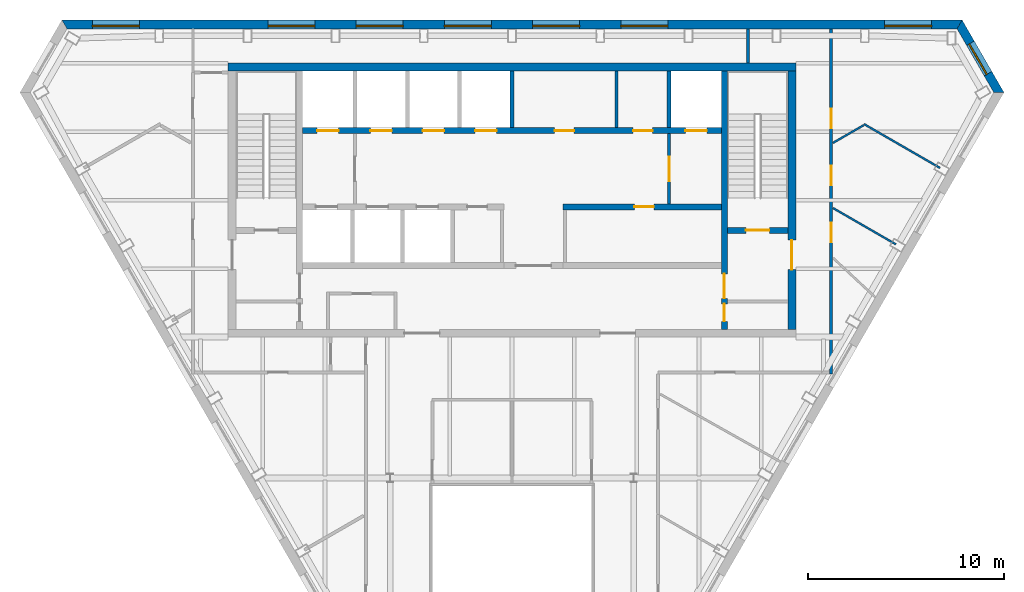
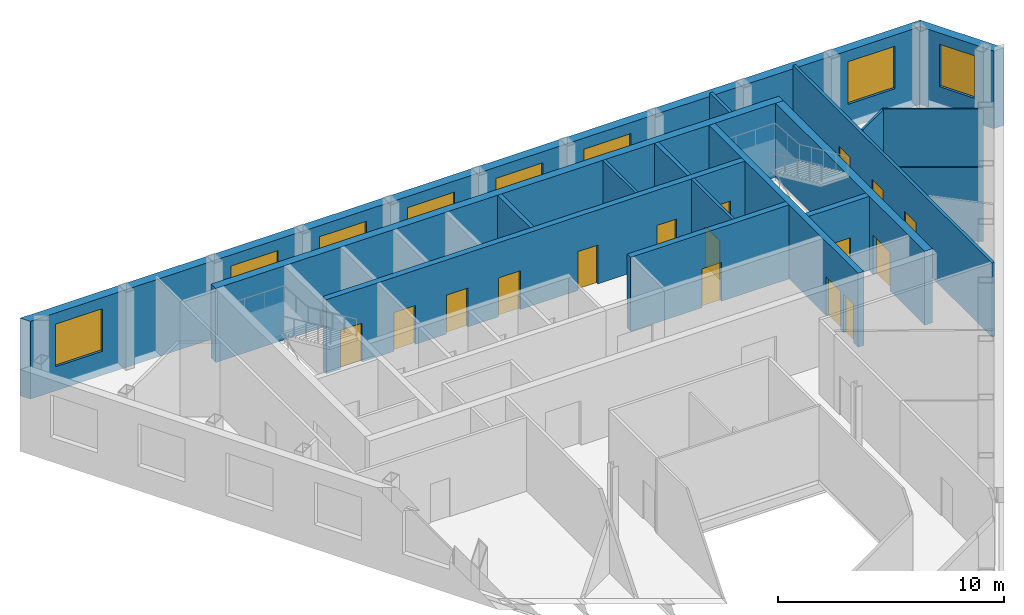
# One storey, part 6 of 9: 17 walls, 16 doors, 8 windows, 24 openings.
"""IFC4 building model written with IfcOpenShell, lengths in metres."""

from ifc_helpers import new_model, si_unit, direction, frame, frame_2d, origin, place, context, subcontext, project, spatial, polyline, rectangle, outline, extrude, material, layer, layer_set, type_object, element, fill, save


model = new_model("IFC4")

# Units and contexts
model_context = context("Model", 3, precision=1e-05, world=origin(), true_north=direction((0.0, 1.0)))
body_context = subcontext(model_context, "Body", "Model", "MODEL_VIEW")
ifc_project = project(units=[si_unit("LENGTHUNIT", "METRE"), si_unit("AREAUNIT", "SQUARE_METRE"), si_unit("VOLUMEUNIT", "CUBIC_METRE"), si_unit("PLANEANGLEUNIT", "RADIAN"), si_unit("MASSUNIT", "GRAM", prefix="KILO")], contexts=[model_context])

# Site, building, storey
site_placement = place(None, origin())
site = spatial("IfcSite", under=ifc_project, at=site_placement, CompositionType="ELEMENT")
building_placement = place(site_placement, origin())
building = spatial("IfcBuilding", under=site, at=building_placement, Name="Njiva Tower", CompositionType="ELEMENT")
storey_placement = place(building_placement, frame((0.0, 0.0, 325.2)))
storey = spatial("IfcBuildingStorey", under=building, at=storey_placement, Name="L74", CompositionType="ELEMENT", Elevation=325.2)

# Wall
ifc_material_1 = material(Name="Blockwork", Category="masonry")
ifc_layer_1 = layer(ifc_material_1, 0.15)
ifc_layer_set_1 = layer_set([ifc_layer_1], Name="Blockwork")
wall_type_1 = type_object("IfcWallType", Name="WT1 Compartment partition 150", PredefinedType="PARTITIONING", material=ifc_layer_set_1)
wall_1_placement = place(storey_placement, frame((5.35, 14.7, 0.0), z_axis=(0.0, 0.0, 1.0), x_axis=(0.0, 1.0, 0.0)))
element("IfcWall", 1, at=wall_1_placement, inside=storey, type_object=wall_type_1, Name="Partition CN6", PredefinedType="PARTITIONING", context=body_context, shape_type="SweptSolid", body=[
    extrude(rectangle(XDim=2.9, YDim=0.15, at=frame_2d((1.45, 0.0))), origin(), (0.0, 0.0, 1.0), 4.0),
])

# Wall, openings, doors
ifc_material_2 = material(Name="Concrete C40/50", Category="concrete")
ifc_layer_2 = layer(ifc_material_2, 0.3)
ifc_layer_set_2 = layer_set([ifc_layer_2], Name="Concrete C40/50")
wall_type_2 = type_object("IfcWallType", Name="WT10 Stair enclosure wall 300", PredefinedType="SHEAR", material=ifc_layer_set_2)
wall_2_placement = place(storey_placement, frame((10.85, 4.4, 0.0), z_axis=(0.0, 0.0, 1.0), x_axis=(0.0, 1.0, 0.0)))
wall_2 = element("IfcWall", 2, at=wall_2_placement, inside=storey, type_object=wall_type_2, Name="Stair wall east inner", PredefinedType="SHEAR", context=body_context, shape_type="SweptSolid", body=[
    extrude(rectangle(XDim=13.2, YDim=0.3, at=frame_2d((6.6, 0.0))), origin(), (0.0, 0.0, 1.0), 4.0),
])
opening_1_placement = place(wall_2_placement, frame((1.575, 0.0, 0.0)))
opening_1 = element("IfcOpeningElement", 3, at=opening_1_placement, cuts=wall_2, Name="Opening S25-D920", PredefinedType="OPENING", context=body_context, shape_type="SweptSolid", body=[
    extrude(rectangle(XDim=1.25, YDim=2.1, at=frame_2d((0.625, 1.05))), frame((0.0, 0.16, 0.0), z_axis=(0.0, -1.0, 0.0), x_axis=(1.0, 0.0, 0.0)), (0.0, 0.0, 1.0), 0.32),
])
opening_2_placement = place(wall_2_placement, frame((0.4, 0.0, 0.0)))
opening_2 = element("IfcOpeningElement", 4, at=opening_2_placement, cuts=wall_2, Name="Opening S25-D922", PredefinedType="OPENING", context=body_context, shape_type="SweptSolid", body=[
    extrude(rectangle(XDim=0.9, YDim=2.1, at=frame_2d((0.45, 1.05))), frame((0.0, 0.16, 0.0), z_axis=(0.0, -1.0, 0.0), x_axis=(1.0, 0.0, 0.0)), (0.0, 0.0, 1.0), 0.32),
])
ifc_material_3 = material(Name="Steel door, painted", Category="steel")
door_type_1 = type_object("IfcDoorType", Name="D13 Steel door 900x2100", OperationType="SINGLE_SWING_LEFT", PredefinedType="DOOR", material=ifc_material_3)
door_1_placement = place(opening_2_placement, origin())
door_1 = element("IfcDoor", 5, at=door_1_placement, inside=storey, type_object=door_type_1, Name="Breakout room door", OperationType="SINGLE_SWING_LEFT", OverallHeight=2.1, OverallWidth=0.9, PredefinedType="DOOR", context=body_context, shape_type="SweptSolid", body=[
    extrude(rectangle(XDim=0.9, YDim=2.1, at=frame_2d((0.45, 1.05))), frame((0.0, 0.025, 0.0), z_axis=(0.0, -1.0, 0.0), x_axis=(1.0, 0.0, 0.0)), (0.0, 0.0, 1.0), 0.05),
])
fill(opening_2, door_1)
ifc_material_4 = material(Name="Glazed steel fire door", Category="steel")
door_type_2 = type_object("IfcDoorType", Name="D8 Vestibule corridor door 1250x2100 glazed", OperationType="SINGLE_SWING_LEFT", PredefinedType="DOOR", material=ifc_material_4)
door_2_placement = place(opening_1_placement, origin())
door_2 = element("IfcDoor", 6, at=door_2_placement, inside=storey, type_object=door_type_2, Name="Stair vestibule corridor door", OperationType="SINGLE_SWING_RIGHT", OverallHeight=2.1, OverallWidth=1.25, PredefinedType="DOOR", context=body_context, shape_type="SweptSolid", body=[
    extrude(rectangle(XDim=1.25, YDim=2.1, at=frame_2d((0.625, 1.05))), frame((0.0, 0.025, 0.0), z_axis=(0.0, -1.0, 0.0), x_axis=(1.0, 0.0, 0.0)), (0.0, 0.0, 1.0), 0.05),
])
fill(opening_1, door_2)

# Wall, opening, door
wall_3_placement = place(storey_placement, frame((11.0, 9.45, 0.0), z_axis=(0.0, 0.0, 1.0), x_axis=(1.0, 0.0, 0.0)))
wall_3 = element("IfcWall", 7, at=wall_3_placement, inside=storey, type_object=wall_type_2, Name="Stair B south wall", PredefinedType="SHEAR", context=body_context, shape_type="SweptSolid", body=[
    extrude(rectangle(XDim=3.1, YDim=0.3, at=frame_2d((1.55, 0.0))), origin(), (0.0, 0.0, 1.0), 4.0),
])
opening_3_placement = place(wall_3_placement, frame((0.95, 0.0, 0.0)))
opening_3 = element("IfcOpeningElement", 8, at=opening_3_placement, cuts=wall_3, Name="Opening S25-D919", PredefinedType="OPENING", context=body_context, shape_type="SweptSolid", body=[
    extrude(rectangle(XDim=1.2, YDim=2.1, at=frame_2d((0.6, 1.05))), frame((0.0, 0.16, 0.0), z_axis=(0.0, -1.0, 0.0), x_axis=(1.0, 0.0, 0.0)), (0.0, 0.0, 1.0), 0.32),
])
door_type_3 = type_object("IfcDoorType", Name="D7 Stair vestibule door 1200x2100 glazed", OperationType="SINGLE_SWING_LEFT", PredefinedType="DOOR", material=ifc_material_4)
door_3_placement = place(opening_3_placement, origin())
door_3 = element("IfcDoor", 9, at=door_3_placement, inside=storey, type_object=door_type_3, Name="Stair B door", OperationType="SINGLE_SWING_LEFT", OverallHeight=2.1, OverallWidth=1.2, PredefinedType="DOOR", context=body_context, shape_type="SweptSolid", body=[
    extrude(rectangle(XDim=1.2, YDim=2.1, at=frame_2d((0.6, 1.05))), frame((0.0, 0.025, 0.0), z_axis=(0.0, -1.0, 0.0), x_axis=(1.0, 0.0, 0.0)), (0.0, 0.0, 1.0), 0.05),
])
fill(opening_3, door_3)

# Wall
ifc_material_5 = material(Name="Concrete C60/75", Category="concrete")
ifc_layer_3 = layer(ifc_material_5, 0.4)
ifc_layer_set_3 = layer_set([ifc_layer_3], Name="Concrete C60/75")
wall_type_3 = type_object("IfcWallType", Name="WT11 Core wall 400", PredefinedType="SHEAR", material=ifc_layer_set_3)
wall_4_placement = place(storey_placement, frame((-14.5, 17.8, 0.0), z_axis=(0.0, 0.0, 1.0), x_axis=(1.0, 0.0, 0.0)))
element("IfcWall", 10, at=wall_4_placement, inside=storey, type_object=wall_type_3, Name="Core wall north", PredefinedType="SHEAR", context=body_context, shape_type="SweptSolid", body=[
    extrude(rectangle(XDim=29.0, YDim=0.4, at=frame_2d((14.5, 0.0))), origin(), (0.0, 0.0, 1.0), 4.0),
])

# Wall, opening, door
wall_5_placement = place(storey_placement, frame((14.3, 4.4, 0.0), z_axis=(0.0, 0.0, 1.0), x_axis=(0.0, 1.0, 0.0)))
wall_5 = element("IfcWall", 11, at=wall_5_placement, inside=storey, type_object=wall_type_3, Name="Core wall east", PredefinedType="SHEAR", context=body_context, shape_type="SweptSolid", body=[
    extrude(rectangle(XDim=13.2, YDim=0.4, at=frame_2d((6.6, 0.0))), origin(), (0.0, 0.0, 1.0), 4.0),
])
opening_4_placement = place(wall_5_placement, frame((3.05, 0.0, 0.0)))
opening_4 = element("IfcOpeningElement", 12, at=opening_4_placement, cuts=wall_5, Name="Opening S25-D921", PredefinedType="OPENING", context=body_context, shape_type="SweptSolid", body=[
    extrude(rectangle(XDim=1.5, YDim=2.1, at=frame_2d((0.75, 1.05))), frame((0.0, 0.21, 0.0), z_axis=(0.0, -1.0, 0.0), x_axis=(1.0, 0.0, 0.0)), (0.0, 0.0, 1.0), 0.42),
])
door_type_4 = type_object("IfcDoorType", Name="D10 Exit door double 1500x2100 glazed", OperationType="DOUBLE_DOOR_SINGLE_SWING", PredefinedType="DOOR", material=ifc_material_4)
door_4_placement = place(opening_4_placement, origin())
door_4 = element("IfcDoor", 13, at=door_4_placement, inside=storey, type_object=door_type_4, Name="Stair B corridor door", OperationType="DOUBLE_DOOR_SINGLE_SWING", OverallHeight=2.1, OverallWidth=1.5, PredefinedType="DOOR", context=body_context, shape_type="SweptSolid", body=[
    extrude(rectangle(XDim=1.5, YDim=2.1, at=frame_2d((0.75, 1.05))), frame((0.0, 0.025, 0.0), z_axis=(0.0, -1.0, 0.0), x_axis=(1.0, 0.0, 0.0)), (0.0, 0.0, 1.0), 0.05),
])
fill(opening_4, door_4)

ifc_layer_4 = layer(ifc_material_1, 0.15)
ifc_layer_set_4 = layer_set([ifc_layer_4], Name="Blockwork")
wall_type_4 = type_object("IfcWallType", Name="WT2 Lobby partition 150", PredefinedType="PARTITIONING", material=ifc_layer_set_4)
wall_6_placement = place(storey_placement, frame((8.025, 10.8, 0.0), z_axis=(0.0, 0.0, 1.0), x_axis=(0.0, 1.0, 0.0)))
wall_6 = element("IfcWall", 14, at=wall_6_placement, inside=storey, type_object=wall_type_4, Name="Firefighting lobby wall B", PredefinedType="PARTITIONING", context=body_context, shape_type="SweptSolid", body=[
    extrude(rectangle(XDim=3.6, YDim=0.15, at=frame_2d((1.8, 0.0))), origin(), (0.0, 0.0, 1.0), 4.0),
])
opening_5_placement = place(wall_6_placement, frame((1.175, 0.0, 0.0)))
opening_5 = element("IfcOpeningElement", 15, at=opening_5_placement, cuts=wall_6, Name="Opening S25-D918", PredefinedType="OPENING", context=body_context, shape_type="SweptSolid", body=[
    extrude(rectangle(XDim=1.25, YDim=2.1, at=frame_2d((0.625, 1.05))), frame((0.0, 0.085, 0.0), z_axis=(0.0, -1.0, 0.0), x_axis=(1.0, 0.0, 0.0)), (0.0, 0.0, 1.0), 0.17),
])
door_5_placement = place(opening_5_placement, origin())
door_5 = element("IfcDoor", 16, at=door_5_placement, inside=storey, type_object=door_type_2, Name="Stair vestibule corridor door", OperationType="SINGLE_SWING_LEFT", OverallHeight=2.1, OverallWidth=1.25, PredefinedType="DOOR", context=body_context, shape_type="SweptSolid", body=[
    extrude(rectangle(XDim=1.25, YDim=2.1, at=frame_2d((0.625, 1.05))), frame((0.0, 0.025, 0.0), z_axis=(0.0, -1.0, 0.0), x_axis=(1.0, 0.0, 0.0)), (0.0, 0.0, 1.0), 0.05),
])
fill(opening_5, door_5)

# Walls
ifc_material_6 = material(Name="Gypsum board on steel studs", Category="gypsum")
ifc_layer_5 = layer(ifc_material_6, 0.1)
ifc_layer_set_5 = layer_set([ifc_layer_5], Name="Gypsum board on steel studs")
wall_type_5 = type_object("IfcWallType", Name="WT20 Gypsum partition 100", PredefinedType="PARTITIONING", material=ifc_layer_set_5)
wall_7_placement = place(storey_placement, frame((16.4, 13.923, 0.0), z_axis=(0.0, 0.0, 1.0), x_axis=(0.866571760088, 0.499052486836, 0.0)))
element("IfcWall", 17, at=wall_7_placement, inside=storey, type_object=wall_type_5, Name="Partition S25-P025", PredefinedType="PARTITIONING", context=body_context, shape_type="SweptSolid", body=[
    extrude(rectangle(XDim=1.8094, YDim=0.1, at=frame_2d((0.9047, 0.0))), origin(), (0.0, 0.0, 1.0), 4.0),
])
wall_8_placement = place(storey_placement, frame((16.4, 10.595, 0.0), z_axis=(0.0, 0.0, 1.0), x_axis=(0.866131810338, -0.499815653138, 0.0)))
element("IfcWall", 18, at=wall_8_placement, inside=storey, type_object=wall_type_5, Name="Partition S25-P026", PredefinedType="PARTITIONING", context=body_context, shape_type="SweptSolid", body=[
    extrude(rectangle(XDim=3.7154, YDim=0.1, at=frame_2d((1.8577, 0.0))), origin(), (0.0, 0.0, 1.0), 4.0),
])
wall_9_placement = place(storey_placement, frame((17.984, 14.885, 0.0), z_axis=(0.0, 0.0, 1.0), x_axis=(0.86619300392, -0.499709595626, 0.0)))
element("IfcWall", 19, at=wall_9_placement, inside=storey, type_object=wall_type_5, Name="Partition S25-P028", PredefinedType="PARTITIONING", context=body_context, shape_type="SweptSolid", body=[
    extrude(rectangle(XDim=4.4886, YDim=0.1, at=frame_2d((2.2443, 0.0))), origin(), (0.0, 0.0, 1.0), 4.0),
])
ifc_layer_6 = layer(ifc_material_6, 0.15)
ifc_layer_set_6 = layer_set([ifc_layer_6], Name="Gypsum board on steel studs")
wall_type_6 = type_object("IfcWallType", Name="WT21 Compartment wall 150", PredefinedType="PARTITIONING", material=ifc_layer_set_6)
wall_10_placement = place(storey_placement, frame((12.05, 18.0, 0.0), z_axis=(0.0, 0.0, 1.0), x_axis=(0.0, 1.0, 0.0)))
element("IfcWall", 20, at=wall_10_placement, inside=storey, type_object=wall_type_6, Name="Partition S25-P023", PredefinedType="PARTITIONING", context=body_context, shape_type="SweptSolid", body=[
    extrude(rectangle(XDim=1.75, YDim=0.15, at=frame_2d((0.875, 0.0))), origin(), (0.0, 0.0, 1.0), 4.0),
])

# Wall, openings, doors
wall_11_placement = place(storey_placement, frame((16.3, 2.125, 0.0), z_axis=(0.0, 0.0, 1.0), x_axis=(0.0, 1.0, 0.0)))
wall_11 = element("IfcWall", 21, at=wall_11_placement, inside=storey, type_object=wall_type_6, Name="Partition S25-P024", PredefinedType="PARTITIONING", context=body_context, shape_type="SweptSolid", body=[
    extrude(rectangle(XDim=17.623, YDim=0.15, at=frame_2d((8.8115, 0.0))), origin(), (0.0, 0.0, 1.0), 4.0),
])
opening_6_placement = place(wall_11_placement, frame((6.72, 0.0, 0.0)))
opening_6 = element("IfcOpeningElement", 22, at=opening_6_placement, cuts=wall_11, Name="Opening S25-D014", PredefinedType="OPENING", context=body_context, shape_type="SweptSolid", body=[
    extrude(rectangle(XDim=1.0, YDim=2.1, at=frame_2d((0.5, 1.05))), frame((0.0, 0.085, 0.0), z_axis=(0.0, -1.0, 0.0), x_axis=(1.0, 0.0, 0.0)), (0.0, 0.0, 1.0), 0.17),
])
opening_7_placement = place(wall_11_placement, frame((9.633, 0.0, 0.0)))
opening_7 = element("IfcOpeningElement", 23, at=opening_7_placement, cuts=wall_11, Name="Opening S25-D015", PredefinedType="OPENING", context=body_context, shape_type="SweptSolid", body=[
    extrude(rectangle(XDim=1.0, YDim=2.1, at=frame_2d((0.5, 1.05))), frame((0.0, 0.085, 0.0), z_axis=(0.0, -1.0, 0.0), x_axis=(1.0, 0.0, 0.0)), (0.0, 0.0, 1.0), 0.17),
])
opening_8_placement = place(wall_11_placement, frame((12.544, 0.0, 0.0)))
opening_8 = element("IfcOpeningElement", 24, at=opening_8_placement, cuts=wall_11, Name="Opening S25-D016", PredefinedType="OPENING", context=body_context, shape_type="SweptSolid", body=[
    extrude(rectangle(XDim=1.0, YDim=2.1, at=frame_2d((0.5, 1.05))), frame((0.0, 0.085, 0.0), z_axis=(0.0, -1.0, 0.0), x_axis=(1.0, 0.0, 0.0)), (0.0, 0.0, 1.0), 0.17),
])
ifc_material_7 = material(Name="Steel fire door set", Category="steel")
door_type_5 = type_object("IfcDoorType", Name="D37 Fire door 1000x2100", OperationType="SINGLE_SWING_LEFT", PredefinedType="DOOR", material=ifc_material_7)
door_6_placement = place(opening_6_placement, origin())
door_6 = element("IfcDoor", 25, at=door_6_placement, inside=storey, type_object=door_type_5, Name="Door S25-D014", OperationType="SINGLE_SWING_LEFT", OverallHeight=2.1, OverallWidth=1.0, PredefinedType="DOOR", context=body_context, shape_type="SweptSolid", body=[
    extrude(rectangle(XDim=1.0, YDim=2.1, at=frame_2d((0.5, 1.05))), frame((0.0, 0.025, 0.0), z_axis=(0.0, -1.0, 0.0), x_axis=(1.0, 0.0, 0.0)), (0.0, 0.0, 1.0), 0.05),
])
fill(opening_6, door_6)
door_7_placement = place(opening_7_placement, origin())
door_7 = element("IfcDoor", 26, at=door_7_placement, inside=storey, type_object=door_type_5, Name="Door S25-D015", OperationType="SINGLE_SWING_RIGHT", OverallHeight=2.1, OverallWidth=1.0, PredefinedType="DOOR", context=body_context, shape_type="SweptSolid", body=[
    extrude(rectangle(XDim=1.0, YDim=2.1, at=frame_2d((0.5, 1.05))), frame((0.0, 0.025, 0.0), z_axis=(0.0, -1.0, 0.0), x_axis=(1.0, 0.0, 0.0)), (0.0, 0.0, 1.0), 0.05),
])
fill(opening_7, door_7)
door_8_placement = place(opening_8_placement, origin())
door_8 = element("IfcDoor", 27, at=door_8_placement, inside=storey, type_object=door_type_5, Name="Door S25-D016", OperationType="SINGLE_SWING_RIGHT", OverallHeight=2.1, OverallWidth=1.0, PredefinedType="DOOR", context=body_context, shape_type="SweptSolid", body=[
    extrude(rectangle(XDim=1.0, YDim=2.1, at=frame_2d((0.5, 1.05))), frame((0.0, 0.025, 0.0), z_axis=(0.0, -1.0, 0.0), x_axis=(1.0, 0.0, 0.0)), (0.0, 0.0, 1.0), 0.05),
])
fill(opening_8, door_8)

# Walls
ifc_layer_7 = layer(ifc_material_2, 0.2)
ifc_layer_set_7 = layer_set([ifc_layer_7], Name="Concrete C40/50")
wall_type_7 = type_object("IfcWallType", Name="WT6 Lift shaft wall 200", PredefinedType="SHEAR", material=ifc_layer_set_7)
for number, where, z_axis, x_axis, name in (
    (28, (0.0, 14.7, 0.0), (0.0, 0.0, 1.0), (0.0, 1.0, 0.0), "Shaft wall CN4"),
    (29, (8.025, 14.7, 0.0), (0.0, 0.0, 1.0), (0.0, 1.0, 0.0), "Shaft wall CN7"),
):
    element("IfcWall", number, at=place(storey_placement, frame(where, z_axis=z_axis, x_axis=x_axis)), inside=storey, type_object=wall_type_7, Name=name, PredefinedType="SHEAR", context=body_context, shape_type="SweptSolid", body=[
        extrude(rectangle(XDim=2.9, YDim=0.2, at=frame_2d((1.45, 0.0))), origin(), (0.0, 0.0, 1.0), 4.0),
    ])

# Wall, openings, doors
ifc_layer_8 = layer(ifc_material_2, 0.3)
ifc_layer_set_8 = layer_set([ifc_layer_8], Name="Concrete C40/50")
wall_type_8 = type_object("IfcWallType", Name="WT7 Lift shaft wall 300", PredefinedType="SHEAR", material=ifc_layer_set_8)
wall_12_placement = place(storey_placement, frame((-10.7, 14.55, 0.0), z_axis=(0.0, 0.0, 1.0), x_axis=(1.0, 0.0, 0.0)))
wall_12 = element("IfcWall", 30, at=wall_12_placement, inside=storey, type_object=wall_type_8, Name="Shaft wall north row lobby side", PredefinedType="SHEAR", context=body_context, shape_type="SweptSolid", body=[
    extrude(rectangle(XDim=21.4, YDim=0.3, at=frame_2d((10.7, 0.0))), origin(), (0.0, 0.0, 1.0), 4.0),
])
opening_9_placement = place(wall_12_placement, frame((0.7375, 0.0, 0.0)))
opening_9 = element("IfcOpeningElement", 31, at=opening_9_placement, cuts=wall_12, Name="Opening S25-D901", PredefinedType="OPENING", context=body_context, shape_type="SweptSolid", body=[
    extrude(rectangle(XDim=1.1, YDim=2.1, at=frame_2d((0.55, 1.05))), frame((0.0, 0.16, 0.0), z_axis=(0.0, -1.0, 0.0), x_axis=(1.0, 0.0, 0.0)), (0.0, 0.0, 1.0), 0.32),
])
opening_10_placement = place(wall_12_placement, frame((3.4625, 0.0, 0.0)))
opening_10 = element("IfcOpeningElement", 32, at=opening_10_placement, cuts=wall_12, Name="Opening S25-D902", PredefinedType="OPENING", context=body_context, shape_type="SweptSolid", body=[
    extrude(rectangle(XDim=1.1, YDim=2.1, at=frame_2d((0.55, 1.05))), frame((0.0, 0.16, 0.0), z_axis=(0.0, -1.0, 0.0), x_axis=(1.0, 0.0, 0.0)), (0.0, 0.0, 1.0), 0.32),
])
opening_11_placement = place(wall_12_placement, frame((6.1375, 0.0, 0.0)))
opening_11 = element("IfcOpeningElement", 33, at=opening_11_placement, cuts=wall_12, Name="Opening S25-D903", PredefinedType="OPENING", context=body_context, shape_type="SweptSolid", body=[
    extrude(rectangle(XDim=1.1, YDim=2.1, at=frame_2d((0.55, 1.05))), frame((0.0, 0.16, 0.0), z_axis=(0.0, -1.0, 0.0), x_axis=(1.0, 0.0, 0.0)), (0.0, 0.0, 1.0), 0.32),
])
opening_12_placement = place(wall_12_placement, frame((8.8125, 0.0, 0.0)))
opening_12 = element("IfcOpeningElement", 34, at=opening_12_placement, cuts=wall_12, Name="Opening S25-D904", PredefinedType="OPENING", context=body_context, shape_type="SweptSolid", body=[
    extrude(rectangle(XDim=1.1, YDim=2.1, at=frame_2d((0.55, 1.05))), frame((0.0, 0.16, 0.0), z_axis=(0.0, -1.0, 0.0), x_axis=(1.0, 0.0, 0.0)), (0.0, 0.0, 1.0), 0.32),
])
opening_13_placement = place(wall_12_placement, frame((19.5625, 0.0, 0.0)))
opening_13 = element("IfcOpeningElement", 35, at=opening_13_placement, cuts=wall_12, Name="Opening S25-D905", PredefinedType="OPENING", context=body_context, shape_type="SweptSolid", body=[
    extrude(rectangle(XDim=1.1, YDim=2.1, at=frame_2d((0.55, 1.05))), frame((0.0, 0.16, 0.0), z_axis=(0.0, -1.0, 0.0), x_axis=(1.0, 0.0, 0.0)), (0.0, 0.0, 1.0), 0.32),
])
opening_14_placement = place(wall_12_placement, frame((12.875, 0.0, 0.0)))
opening_14 = element("IfcOpeningElement", 36, at=opening_14_placement, cuts=wall_12, Name="Opening S25-D909", PredefinedType="OPENING", context=body_context, shape_type="SweptSolid", body=[
    extrude(rectangle(XDim=1.0, YDim=2.1, at=frame_2d((0.5, 1.05))), frame((0.0, 0.16, 0.0), z_axis=(0.0, -1.0, 0.0), x_axis=(1.0, 0.0, 0.0)), (0.0, 0.0, 1.0), 0.32),
])
opening_15_placement = place(wall_12_placement, frame((16.8875, 0.0, 0.0)))
opening_15 = element("IfcOpeningElement", 37, at=opening_15_placement, cuts=wall_12, Name="Opening S25-D910", PredefinedType="OPENING", context=body_context, shape_type="SweptSolid", body=[
    extrude(rectangle(XDim=1.0, YDim=2.1, at=frame_2d((0.5, 1.05))), frame((0.0, 0.16, 0.0), z_axis=(0.0, -1.0, 0.0), x_axis=(1.0, 0.0, 0.0)), (0.0, 0.0, 1.0), 0.32),
])
door_type_6 = type_object("IfcDoorType", Name="D5 Steel door 1000x2100", OperationType="SINGLE_SWING_LEFT", PredefinedType="DOOR", material=ifc_material_3)
door_9_placement = place(opening_14_placement, origin())
door_9 = element("IfcDoor", 38, at=door_9_placement, inside=storey, type_object=door_type_6, Name="Breakout room door", OperationType="SINGLE_SWING_LEFT", OverallHeight=2.1, OverallWidth=1.0, PredefinedType="DOOR", context=body_context, shape_type="SweptSolid", body=[
    extrude(rectangle(XDim=1.0, YDim=2.1, at=frame_2d((0.5, 1.05))), frame((0.0, 0.025, 0.0), z_axis=(0.0, -1.0, 0.0), x_axis=(1.0, 0.0, 0.0)), (0.0, 0.0, 1.0), 0.05),
])
fill(opening_14, door_9)
door_10_placement = place(opening_15_placement, origin())
door_10 = element("IfcDoor", 39, at=door_10_placement, inside=storey, type_object=door_type_6, Name="Quiet room door", OperationType="SINGLE_SWING_LEFT", OverallHeight=2.1, OverallWidth=1.0, PredefinedType="DOOR", context=body_context, shape_type="SweptSolid", body=[
    extrude(rectangle(XDim=1.0, YDim=2.1, at=frame_2d((0.5, 1.05))), frame((0.0, 0.025, 0.0), z_axis=(0.0, -1.0, 0.0), x_axis=(1.0, 0.0, 0.0)), (0.0, 0.0, 1.0), 0.05),
])
fill(opening_15, door_10)
ifc_material_8 = material(Name="Stainless steel sliding door", Category="steel")
door_type_7 = type_object("IfcDoorType", Name="LD Lift landing door 1100x2100", OperationType="SLIDING_TO_LEFT", PredefinedType="DOOR", material=ifc_material_8)
door_11_placement = place(opening_9_placement, origin())
door_11 = element("IfcDoor", 40, at=door_11_placement, inside=storey, type_object=door_type_7, Name="Lift landing door FF1", OperationType="SLIDING_TO_LEFT", OverallHeight=2.1, OverallWidth=1.1, PredefinedType="DOOR", context=body_context, shape_type="SweptSolid", body=[
    extrude(rectangle(XDim=1.1, YDim=2.1, at=frame_2d((0.55, 1.05))), frame((0.0, 0.025, 0.0), z_axis=(0.0, -1.0, 0.0), x_axis=(1.0, 0.0, 0.0)), (0.0, 0.0, 1.0), 0.05),
])
fill(opening_9, door_11)
door_12_placement = place(opening_10_placement, origin())
door_12 = element("IfcDoor", 41, at=door_12_placement, inside=storey, type_object=door_type_7, Name="Lift landing door HB4", OperationType="SLIDING_TO_LEFT", OverallHeight=2.1, OverallWidth=1.1, PredefinedType="DOOR", context=body_context, shape_type="SweptSolid", body=[
    extrude(rectangle(XDim=1.1, YDim=2.1, at=frame_2d((0.55, 1.05))), frame((0.0, 0.025, 0.0), z_axis=(0.0, -1.0, 0.0), x_axis=(1.0, 0.0, 0.0)), (0.0, 0.0, 1.0), 0.05),
])
fill(opening_10, door_12)
door_13_placement = place(opening_11_placement, origin())
door_13 = element("IfcDoor", 42, at=door_13_placement, inside=storey, type_object=door_type_7, Name="Lift landing door HB5", OperationType="SLIDING_TO_LEFT", OverallHeight=2.1, OverallWidth=1.1, PredefinedType="DOOR", context=body_context, shape_type="SweptSolid", body=[
    extrude(rectangle(XDim=1.1, YDim=2.1, at=frame_2d((0.55, 1.05))), frame((0.0, 0.025, 0.0), z_axis=(0.0, -1.0, 0.0), x_axis=(1.0, 0.0, 0.0)), (0.0, 0.0, 1.0), 0.05),
])
fill(opening_11, door_13)
door_14_placement = place(opening_12_placement, origin())
door_14 = element("IfcDoor", 43, at=door_14_placement, inside=storey, type_object=door_type_7, Name="Lift landing door HB6", OperationType="SLIDING_TO_LEFT", OverallHeight=2.1, OverallWidth=1.1, PredefinedType="DOOR", context=body_context, shape_type="SweptSolid", body=[
    extrude(rectangle(XDim=1.1, YDim=2.1, at=frame_2d((0.55, 1.05))), frame((0.0, 0.025, 0.0), z_axis=(0.0, -1.0, 0.0), x_axis=(1.0, 0.0, 0.0)), (0.0, 0.0, 1.0), 0.05),
])
fill(opening_12, door_14)
door_15_placement = place(opening_13_placement, origin())
door_15 = element("IfcDoor", 44, at=door_15_placement, inside=storey, type_object=door_type_7, Name="Lift landing door FF2", OperationType="SLIDING_TO_LEFT", OverallHeight=2.1, OverallWidth=1.1, PredefinedType="DOOR", context=body_context, shape_type="SweptSolid", body=[
    extrude(rectangle(XDim=1.1, YDim=2.1, at=frame_2d((0.55, 1.05))), frame((0.0, 0.025, 0.0), z_axis=(0.0, -1.0, 0.0), x_axis=(1.0, 0.0, 0.0)), (0.0, 0.0, 1.0), 0.05),
])
fill(opening_13, door_15)

# Wall, opening, door
wall_13_placement = place(storey_placement, frame((2.6, 10.65, 0.0), z_axis=(0.0, 0.0, 1.0), x_axis=(1.0, 0.0, 0.0)))
wall_13 = element("IfcWall", 45, at=wall_13_placement, inside=storey, type_object=wall_type_8, Name="Shaft wall south row lobby side E", PredefinedType="SHEAR", context=body_context, shape_type="SweptSolid", body=[
    extrude(rectangle(XDim=8.1, YDim=0.3, at=frame_2d((4.05, 0.0))), origin(), (0.0, 0.0, 1.0), 4.0),
])
opening_16_placement = place(wall_13_placement, frame((3.65, 0.0, 0.0)))
opening_16 = element("IfcOpeningElement", 46, at=opening_16_placement, cuts=wall_13, Name="Opening S25-D912", PredefinedType="OPENING", context=body_context, shape_type="SweptSolid", body=[
    extrude(rectangle(XDim=1.0, YDim=2.1, at=frame_2d((0.5, 1.05))), frame((0.0, 0.16, 0.0), z_axis=(0.0, -1.0, 0.0), x_axis=(1.0, 0.0, 0.0)), (0.0, 0.0, 1.0), 0.32),
])
door_16_placement = place(opening_16_placement, origin())
door_16 = element("IfcDoor", 47, at=door_16_placement, inside=storey, type_object=door_type_6, Name="Mechanical room door", OperationType="SINGLE_SWING_RIGHT", OverallHeight=2.1, OverallWidth=1.0, PredefinedType="DOOR", context=body_context, shape_type="SweptSolid", body=[
    extrude(rectangle(XDim=1.0, YDim=2.1, at=frame_2d((0.5, 1.05))), frame((0.0, 0.025, 0.0), z_axis=(0.0, -1.0, 0.0), x_axis=(1.0, 0.0, 0.0)), (0.0, 0.0, 1.0), 0.05),
])
fill(opening_16, door_16)

# Wall, openings, windows
ifc_material_9 = material(Name="Brick masonry", Category="masonry")
ifc_layer_9 = layer(ifc_material_9, 0.45)
ifc_layer_set_9 = layer_set([ifc_layer_9], Name="Brick masonry")
wall_type_9 = type_object("IfcWallType", Name="WT90 Brick pier and spandrel wall 450", PredefinedType="SOLIDWALL", material=ifc_layer_set_9)
wall_14_placement = place(storey_placement, frame((22.8651, 19.975, -0.4), z_axis=(0.0, 0.0, 1.0), x_axis=(-1.0, 0.0, 0.0)))
wall_14 = element("IfcWall", 48, at=wall_14_placement, inside=storey, type_object=wall_type_9, Name="Facade wall N", PredefinedType="SOLIDWALL", context=body_context, shape_type="SweptSolid", body=[
    extrude(outline(polyline([(-0.1299, -0.225), (45.8601, -0.225), (45.6003, 0.225), (0.1299, 0.225), (-0.1299, -0.225)])), origin(), (0.0, 0.0, 1.0), 4.2),
])
opening_17_placement = place(wall_14_placement, frame((1.4237, 0.0, 1.3)))
opening_17 = element("IfcOpeningElement", 49, at=opening_17_placement, cuts=wall_14, Name="Opening S25-W01", PredefinedType="OPENING", context=body_context, shape_type="SweptSolid", body=[
    extrude(rectangle(XDim=2.4, YDim=2.3, at=frame_2d((1.2, 1.15))), frame((0.0, 0.235, 0.0), z_axis=(0.0, -1.0, 0.0), x_axis=(1.0, 0.0, 0.0)), (0.0, 0.0, 1.0), 0.47),
])
opening_18_placement = place(wall_14_placement, frame((14.9052, 0.0, 1.3)))
opening_18 = element("IfcOpeningElement", 50, at=opening_18_placement, cuts=wall_14, Name="Opening S25-W02", PredefinedType="OPENING", context=body_context, shape_type="SweptSolid", body=[
    extrude(rectangle(XDim=2.4, YDim=2.3, at=frame_2d((1.2, 1.15))), frame((0.0, 0.235, 0.0), z_axis=(0.0, -1.0, 0.0), x_axis=(1.0, 0.0, 0.0)), (0.0, 0.0, 1.0), 0.47),
])
opening_19_placement = place(wall_14_placement, frame((19.4118, 0.0, 1.3)))
opening_19 = element("IfcOpeningElement", 51, at=opening_19_placement, cuts=wall_14, Name="Opening S25-W03", PredefinedType="OPENING", context=body_context, shape_type="SweptSolid", body=[
    extrude(rectangle(XDim=2.4, YDim=2.3, at=frame_2d((1.2, 1.15))), frame((0.0, 0.235, 0.0), z_axis=(0.0, -1.0, 0.0), x_axis=(1.0, 0.0, 0.0)), (0.0, 0.0, 1.0), 0.47),
])
opening_20_placement = place(wall_14_placement, frame((23.9184, 0.0, 1.3)))
opening_20 = element("IfcOpeningElement", 52, at=opening_20_placement, cuts=wall_14, Name="Opening S25-W04", PredefinedType="OPENING", context=body_context, shape_type="SweptSolid", body=[
    extrude(rectangle(XDim=2.4, YDim=2.3, at=frame_2d((1.2, 1.15))), frame((0.0, 0.235, 0.0), z_axis=(0.0, -1.0, 0.0), x_axis=(1.0, 0.0, 0.0)), (0.0, 0.0, 1.0), 0.47),
])
opening_21_placement = place(wall_14_placement, frame((28.425, 0.0, 1.3)))
opening_21 = element("IfcOpeningElement", 53, at=opening_21_placement, cuts=wall_14, Name="Opening S25-W05", PredefinedType="OPENING", context=body_context, shape_type="SweptSolid", body=[
    extrude(rectangle(XDim=2.4, YDim=2.3, at=frame_2d((1.2, 1.15))), frame((0.0, 0.235, 0.0), z_axis=(0.0, -1.0, 0.0), x_axis=(1.0, 0.0, 0.0)), (0.0, 0.0, 1.0), 0.47),
])
opening_22_placement = place(wall_14_placement, frame((32.9316, 0.0, 1.3)))
opening_22 = element("IfcOpeningElement", 54, at=opening_22_placement, cuts=wall_14, Name="Opening S25-W06", PredefinedType="OPENING", context=body_context, shape_type="SweptSolid", body=[
    extrude(rectangle(XDim=2.4, YDim=2.3, at=frame_2d((1.2, 1.15))), frame((0.0, 0.235, 0.0), z_axis=(0.0, -1.0, 0.0), x_axis=(1.0, 0.0, 0.0)), (0.0, 0.0, 1.0), 0.47),
])
opening_23_placement = place(wall_14_placement, frame((41.9065, 0.0, 1.3)))
opening_23 = element("IfcOpeningElement", 55, at=opening_23_placement, cuts=wall_14, Name="Opening S25-W07", PredefinedType="OPENING", context=body_context, shape_type="SweptSolid", body=[
    extrude(rectangle(XDim=2.4, YDim=2.3, at=frame_2d((1.2, 1.15))), frame((0.0, 0.235, 0.0), z_axis=(0.0, -1.0, 0.0), x_axis=(1.0, 0.0, 0.0)), (0.0, 0.0, 1.0), 0.47),
])
ifc_material_10 = material(Name="Clear glazing in aluminium frame", Category="aluminium")
window_type_1 = type_object("IfcWindowType", Name="W91 Deep-set window 2400x2300", PartitioningType="SINGLE_PANEL", PredefinedType="WINDOW", material=ifc_material_10)
window_1_placement = place(opening_17_placement, origin())
window_1 = element("IfcWindow", 56, at=window_1_placement, inside=storey, type_object=window_type_1, Name="Window", OverallHeight=2.3, OverallWidth=2.4, PartitioningType="SINGLE_PANEL", PredefinedType="WINDOW", context=body_context, shape_type="SweptSolid", body=[
    extrude(rectangle(XDim=2.4, YDim=2.3, at=frame_2d((1.2, 1.15))), frame((0.0, 0.105, 0.0), z_axis=(0.0, -1.0, 0.0), x_axis=(1.0, 0.0, 0.0)), (0.0, 0.0, 1.0), 0.06),
])
fill(opening_17, window_1)
window_2_placement = place(opening_18_placement, origin())
window_2 = element("IfcWindow", 57, at=window_2_placement, inside=storey, type_object=window_type_1, Name="Window", OverallHeight=2.3, OverallWidth=2.4, PartitioningType="SINGLE_PANEL", PredefinedType="WINDOW", context=body_context, shape_type="SweptSolid", body=[
    extrude(rectangle(XDim=2.4, YDim=2.3, at=frame_2d((1.2, 1.15))), frame((0.0, 0.105, 0.0), z_axis=(0.0, -1.0, 0.0), x_axis=(1.0, 0.0, 0.0)), (0.0, 0.0, 1.0), 0.06),
])
fill(opening_18, window_2)
window_3_placement = place(opening_19_placement, origin())
window_3 = element("IfcWindow", 58, at=window_3_placement, inside=storey, type_object=window_type_1, Name="Window", OverallHeight=2.3, OverallWidth=2.4, PartitioningType="SINGLE_PANEL", PredefinedType="WINDOW", context=body_context, shape_type="SweptSolid", body=[
    extrude(rectangle(XDim=2.4, YDim=2.3, at=frame_2d((1.2, 1.15))), frame((0.0, 0.105, 0.0), z_axis=(0.0, -1.0, 0.0), x_axis=(1.0, 0.0, 0.0)), (0.0, 0.0, 1.0), 0.06),
])
fill(opening_19, window_3)
window_4_placement = place(opening_20_placement, origin())
window_4 = element("IfcWindow", 59, at=window_4_placement, inside=storey, type_object=window_type_1, Name="Window", OverallHeight=2.3, OverallWidth=2.4, PartitioningType="SINGLE_PANEL", PredefinedType="WINDOW", context=body_context, shape_type="SweptSolid", body=[
    extrude(rectangle(XDim=2.4, YDim=2.3, at=frame_2d((1.2, 1.15))), frame((0.0, 0.105, 0.0), z_axis=(0.0, -1.0, 0.0), x_axis=(1.0, 0.0, 0.0)), (0.0, 0.0, 1.0), 0.06),
])
fill(opening_20, window_4)
window_5_placement = place(opening_21_placement, origin())
window_5 = element("IfcWindow", 60, at=window_5_placement, inside=storey, type_object=window_type_1, Name="Window", OverallHeight=2.3, OverallWidth=2.4, PartitioningType="SINGLE_PANEL", PredefinedType="WINDOW", context=body_context, shape_type="SweptSolid", body=[
    extrude(rectangle(XDim=2.4, YDim=2.3, at=frame_2d((1.2, 1.15))), frame((0.0, 0.105, 0.0), z_axis=(0.0, -1.0, 0.0), x_axis=(1.0, 0.0, 0.0)), (0.0, 0.0, 1.0), 0.06),
])
fill(opening_21, window_5)
window_6_placement = place(opening_22_placement, origin())
window_6 = element("IfcWindow", 61, at=window_6_placement, inside=storey, type_object=window_type_1, Name="Window", OverallHeight=2.3, OverallWidth=2.4, PartitioningType="SINGLE_PANEL", PredefinedType="WINDOW", context=body_context, shape_type="SweptSolid", body=[
    extrude(rectangle(XDim=2.4, YDim=2.3, at=frame_2d((1.2, 1.15))), frame((0.0, 0.105, 0.0), z_axis=(0.0, -1.0, 0.0), x_axis=(1.0, 0.0, 0.0)), (0.0, 0.0, 1.0), 0.06),
])
fill(opening_22, window_6)
window_7_placement = place(opening_23_placement, origin())
window_7 = element("IfcWindow", 62, at=window_7_placement, inside=storey, type_object=window_type_1, Name="Window", OverallHeight=2.3, OverallWidth=2.4, PartitioningType="SINGLE_PANEL", PredefinedType="WINDOW", context=body_context, shape_type="SweptSolid", body=[
    extrude(rectangle(XDim=2.4, YDim=2.3, at=frame_2d((1.2, 1.15))), frame((0.0, 0.105, 0.0), z_axis=(0.0, -1.0, 0.0), x_axis=(1.0, 0.0, 0.0)), (0.0, 0.0, 1.0), 0.06),
])
fill(opening_23, window_7)

# Wall, opening, window
ifc_material_11 = material(Name="Brick masonry, buff", Category="masonry")
ifc_layer_10 = layer(ifc_material_11, 0.45)
ifc_layer_set_10 = layer_set([ifc_layer_10], Name="Brick masonry, buff")
wall_type_10 = type_object("IfcWallType", Name="WT94 Brick pier and spandrel wall 450, buff", PredefinedType="SOLIDWALL", material=ifc_layer_set_10)
wall_15_placement = place(storey_placement, frame((24.8789, 16.4956, -0.4), z_axis=(0.0, 0.0, 1.0), x_axis=(-0.499999496815, 0.866025694299, 0.0)))
wall_15 = element("IfcWall", 63, at=wall_15_placement, inside=storey, type_object=wall_type_10, Name="Facade wall NE", PredefinedType="SOLIDWALL", context=body_context, shape_type="SweptSolid", body=[
    extrude(outline(polyline([(-0.1299, -0.225), (4.1501, -0.225), (3.8903, 0.225), (0.1299, 0.225), (-0.1299, -0.225)])), origin(), (0.0, 0.0, 1.0), 4.2),
])
opening_24_placement = place(wall_15_placement, frame((1.1101, 0.0, 1.3)))
opening_24 = element("IfcOpeningElement", 64, at=opening_24_placement, cuts=wall_15, Name="Opening S25-W27", PredefinedType="OPENING", context=body_context, shape_type="SweptSolid", body=[
    extrude(rectangle(XDim=1.8, YDim=2.3, at=frame_2d((0.9, 1.15))), frame((0.0, 0.235, 0.0), z_axis=(0.0, -1.0, 0.0), x_axis=(1.0, 0.0, 0.0)), (0.0, 0.0, 1.0), 0.47),
])
window_type_2 = type_object("IfcWindowType", Name="W95 Deep-set window 1800x2300", PartitioningType="SINGLE_PANEL", PredefinedType="WINDOW", material=ifc_material_10)
window_8_placement = place(opening_24_placement, origin())
window_8 = element("IfcWindow", 65, at=window_8_placement, inside=storey, type_object=window_type_2, Name="Window", OverallHeight=2.3, OverallWidth=1.8, PartitioningType="SINGLE_PANEL", PredefinedType="WINDOW", context=body_context, shape_type="SweptSolid", body=[
    extrude(rectangle(XDim=1.8, YDim=2.3, at=frame_2d((0.9, 1.15))), frame((0.0, 0.105, 0.0), z_axis=(0.0, -1.0, 0.0), x_axis=(1.0, 0.0, 0.0)), (0.0, 0.0, 1.0), 0.06),
])
fill(opening_24, window_8)

save(model, "model.ifc")
